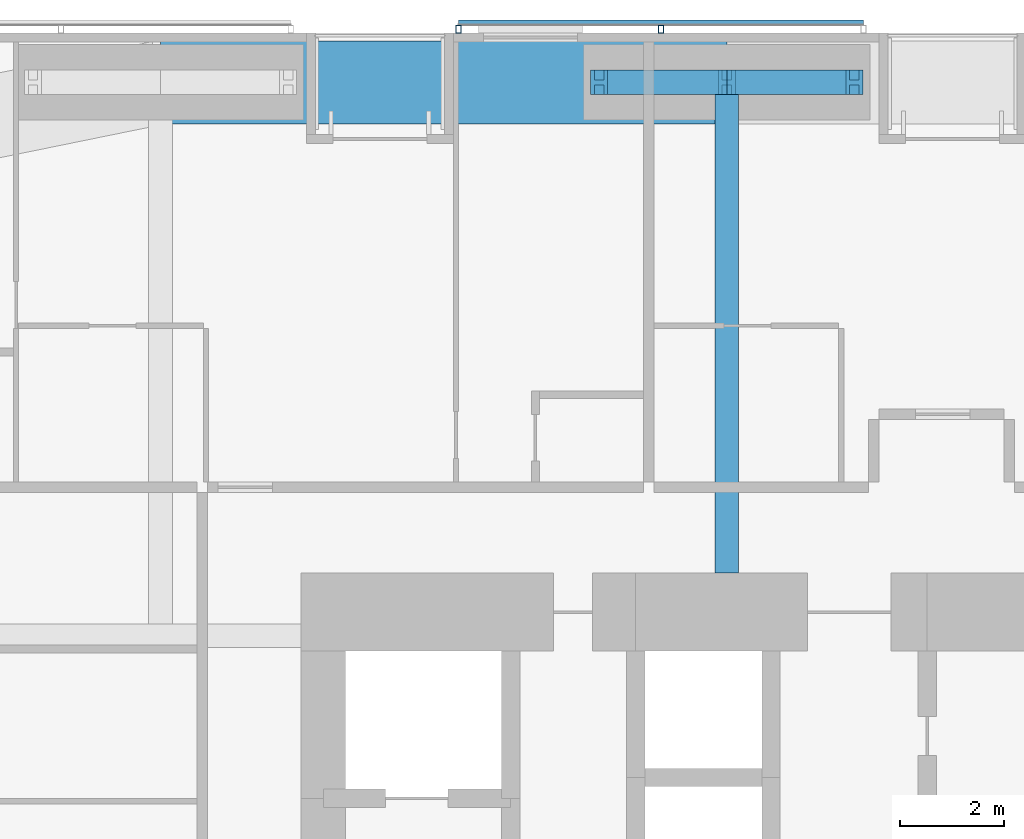
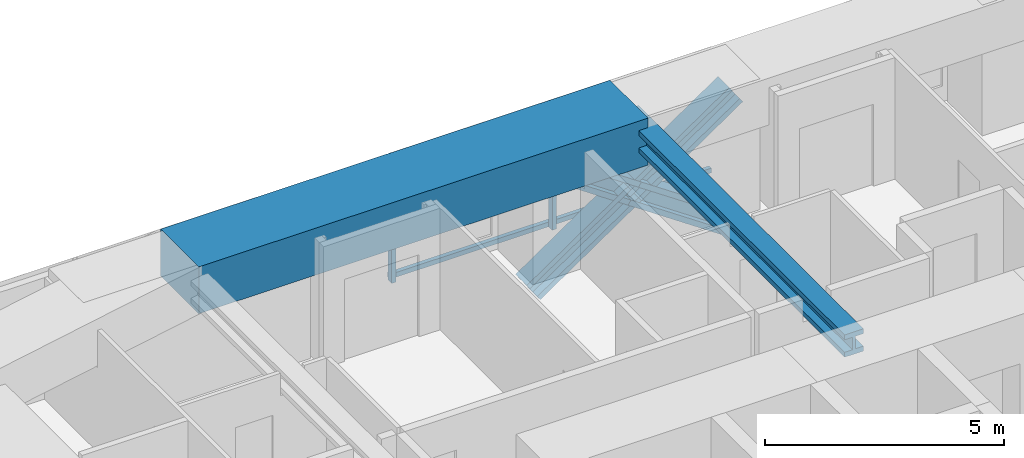
# One storey, part 12 of 24: 7 members, 2 beams, 1 element without a shape of its own.
"""IFC4 building model written with IfcOpenShell, lengths in metres."""

from ifc_helpers import new_model, si_unit, direction, frame, origin, origin_2d, place, context, subcontext, project, spatial, rectangle, hollow_rectangle, i_section, extrude, material, material_profile, profile_set, type_object, element, aggregate, save


model = new_model("IFC4")

# Units and contexts
model_context = context("Model", 3, precision=1e-05, world=origin(), true_north=direction((0.0, 1.0)))
body_context = subcontext(model_context, "Body", "Model", "MODEL_VIEW")
ifc_project = project(units=[si_unit("LENGTHUNIT", "METRE"), si_unit("AREAUNIT", "SQUARE_METRE"), si_unit("VOLUMEUNIT", "CUBIC_METRE"), si_unit("PLANEANGLEUNIT", "RADIAN"), si_unit("MASSUNIT", "GRAM", prefix="KILO")], contexts=[model_context])

# Site, building, storey
site_placement = place(None, origin())
site = spatial("IfcSite", under=ifc_project, at=site_placement, CompositionType="ELEMENT")
building_placement = place(site_placement, origin())
building = spatial("IfcBuilding", under=site, at=building_placement, Name="Jalousie Tower", CompositionType="ELEMENT")
storey_placement = place(building_placement, frame((0.0, 0.0, 91.449951171875)))
storey = spatial("IfcBuildingStorey", under=building, at=storey_placement, Name="L24", CompositionType="ELEMENT", Elevation=91.449951171875)

# Beam
ifc_material_1 = material(Name="Steel ASTM A992 Grade 50", Category="steel")
ifc_material_profile_1 = material_profile(ifc_material_1, i_section(OverallWidth=0.45458984375, OverallDepth=0.569091796875, WebThickness=0.077880859375, FlangeThickness=0.124755859375, at=origin_2d()), Name="W14X730")
ifc_profile_set_1 = profile_set([ifc_material_profile_1], Name="Steel ASTM A992 Grade 50")
beam_type_1 = type_object("IfcBeamType", Name="LEAN COLLECTOR W14X730", PredefinedType="BEAM", material=ifc_profile_set_1)
beam_1_placement = place(storey_placement, frame((27.75, 37.050048828125, 2.825439453125), z_axis=(0.0, -1.0, 0.0), x_axis=(1.0, 0.0, 0.0)))
element("IfcBeam", 1, at=beam_1_placement, inside=storey, type_object=beam_type_1, Name="Lean collector under L25", PredefinedType="BEAM", context=body_context, shape_type="SweptSolid", body=[
    extrude(i_section(OverallWidth=0.45458984375, OverallDepth=0.569091796875, WebThickness=0.077880859375, FlangeThickness=0.124755859375, at=origin_2d()), origin(), (0.0, 0.0, 1.0), 9.425048828125),
])

# Members
ifc_material_2 = material(Name="Steel ASTM A992 Grade 50", Category="steel")
ifc_material_profile_2 = material_profile(ifc_material_2, i_section(OverallWidth=0.472412109375, OverallDepth=0.5791015625, WebThickness=0.094970703125, FlangeThickness=0.1298828125, at=origin_2d()), Name="W14X808")
ifc_profile_set_2 = profile_set([ifc_material_profile_2], Name="Steel ASTM A992 Grade 50")
member_type_1 = type_object("IfcMemberType", Name="PERIMETER BRACE W14X808", PredefinedType="BRACE", material=ifc_profile_set_2)
for number, where, z_axis, x_axis, name in (
    (2, (25.300048828125, 37.050048828125, -0.599853515625), (0.825539243753, 0.0, 0.564344714713), (0.0, 1.0, 0.0), "Perimeter brace 10 L24 part 1"),
    (3, (27.75, 37.050048828125, 1.074951171875), (0.825500916831, 0.0, 0.564400776321), (0.0, 1.0, 0.0), "Perimeter brace 10 L24 part 2"),
    (4, (30.199951171875, 37.050048828125, -0.599853515625), (-0.825539243753, 0.0, 0.564344714713), (0.0, -1.0, 0.0), "Perimeter brace 10 L24 part 3"),
    (5, (27.75, 37.050048828125, 1.074951171875), (-0.825500916831, 0.0, 0.564400776321), (0.0, -1.0, 0.0), "Perimeter brace 10 L24 part 4"),
):
    element("IfcMember", number, at=place(storey_placement, frame(where, z_axis=z_axis, x_axis=x_axis)), inside=storey, type_object=member_type_1, Name=name, PredefinedType="BRACE", context=body_context, shape_type="SweptSolid", body=[
        extrude(i_section(OverallWidth=0.472412109375, OverallDepth=0.5791015625, WebThickness=0.094970703125, FlangeThickness=0.1298828125, at=origin_2d()), origin(), (0.0, 0.0, 1.0), 2.9677734375),
    ])

# Beam
ifc_material_3 = material(Name="Concrete f'c 40 MPa", Category="concrete")
ifc_material_profile_3 = material_profile(ifc_material_3, rectangle(XDim=1.60009765625, YDim=1.199951171875, at=origin_2d()), Name="RC 1600x1200")
ifc_profile_set_3 = profile_set([ifc_material_profile_3], Name="Concrete f'c 40 MPa")
beam_type_2 = type_object("IfcBeamType", Name="RC BEAM 1600x1200", PredefinedType="BEAM", material=ifc_profile_set_3)
beam_2_placement = place(storey_placement, frame((27.75, 37.050048828125, 2.75), z_axis=(-1.0, 0.0, 0.0), x_axis=(0.0, -1.0, 0.0)))
element("IfcBeam", 6, at=beam_2_placement, inside=storey, type_object=beam_type_2, Name="Edge band beam 10-11 under L25", PredefinedType="BEAM", context=body_context, shape_type="SweptSolid", body=[
    extrude(rectangle(XDim=1.60009765625, YDim=1.199951171875, at=origin_2d()), origin(), (0.0, 0.0, 1.0), 10.875),
])

# Curtain wall, members
ifc_material_4 = material(Name="Perforated aluminium sheet", Category="aluminium")
curtain_wall_type = type_object("IfcCurtainWallType", Name="SOLAR SCREEN SS-1", PredefinedType="USERDEFINED", material=ifc_material_4)
curtain_wall_placement = place(storey_placement, origin())
curtain_wall = element("IfcCurtainWall", 7, at=curtain_wall_placement, inside=storey, type_object=curtain_wall_type, Name="Solar screen L24", ObjectType="SOLAR SCREEN SS-1", PredefinedType="USERDEFINED")
ifc_material_5 = material(Name="Steel ASTM A500 Grade C", Category="steel")
ifc_material_profile_4 = material_profile(ifc_material_5, hollow_rectangle(XDim=0.1015625, YDim=0.15234375, WallThickness=0.00634765625, at=origin_2d()), Name="HSS6X4X1/4")
ifc_profile_set_4 = profile_set([ifc_material_profile_4], Name="Steel ASTM A500 Grade C")
member_type_2 = type_object("IfcMemberType", Name="SOLAR SCREEN SS-1 MULLION", PredefinedType="MULLION", material=ifc_profile_set_4)
member_1_placement = place(storey_placement, frame((26.487548828125, 38.0712890625, -0.119873046875), z_axis=(0.0, 0.0, 1.0), x_axis=(-1.0, 0.0, 0.0)))
member_1 = element("IfcMember", 8, at=member_1_placement, type_object=member_type_2, Name="SS1 post 2", PredefinedType="MULLION", context=body_context, shape_type="SweptSolid", body=[
    extrude(hollow_rectangle(XDim=0.1015625, YDim=0.15234375, WallThickness=0.00634765625, at=origin_2d()), origin(), (0.0, 0.0, 1.0), 3.22998046875),
])
member_2_placement = place(storey_placement, frame((22.60009765625, 38.0712890625, -0.119873046875), z_axis=(0.0, 0.0, 1.0), x_axis=(-1.0, 0.0, 0.0)))
member_2 = element("IfcMember", 9, at=member_2_placement, type_object=member_type_2, Name="SS1 post 3", PredefinedType="MULLION", context=body_context, shape_type="SweptSolid", body=[
    extrude(hollow_rectangle(XDim=0.1015625, YDim=0.15234375, WallThickness=0.00634765625, at=origin_2d()), origin(), (0.0, 0.0, 1.0), 3.22998046875),
])
ifc_material_6 = material(Name="Extruded aluminium screen rail", Category="aluminium")
ifc_material_profile_5 = material_profile(ifc_material_6, rectangle(XDim=0.1015625, YDim=0.1201171875, at=origin_2d()), Name="RAIL 102x120")
ifc_profile_set_5 = profile_set([ifc_material_profile_5], Name="Extruded aluminium screen rail")
member_type_3 = type_object("IfcMemberType", Name="SOLAR SCREEN SS-1 TRANSOM", PredefinedType="USERDEFINED", material=ifc_profile_set_5)
member_3_placement = place(storey_placement, frame((30.375, 38.1982421875, -0.06005859375), z_axis=(-1.0, 0.0, 0.0), x_axis=(0.0, -1.0, 0.0)))
member_3 = element("IfcMember", 10, at=member_3_placement, type_object=member_type_3, Name="SS1 rail", ObjectType="TRANSOM", PredefinedType="USERDEFINED", context=body_context, shape_type="SweptSolid", body=[
    extrude(rectangle(XDim=0.1015625, YDim=0.1201171875, at=origin_2d()), origin(), (0.0, 0.0, 1.0), 7.77490234375),
])
aggregate(curtain_wall, [member_1, member_2, member_3])

save(model, "model.ifc")
